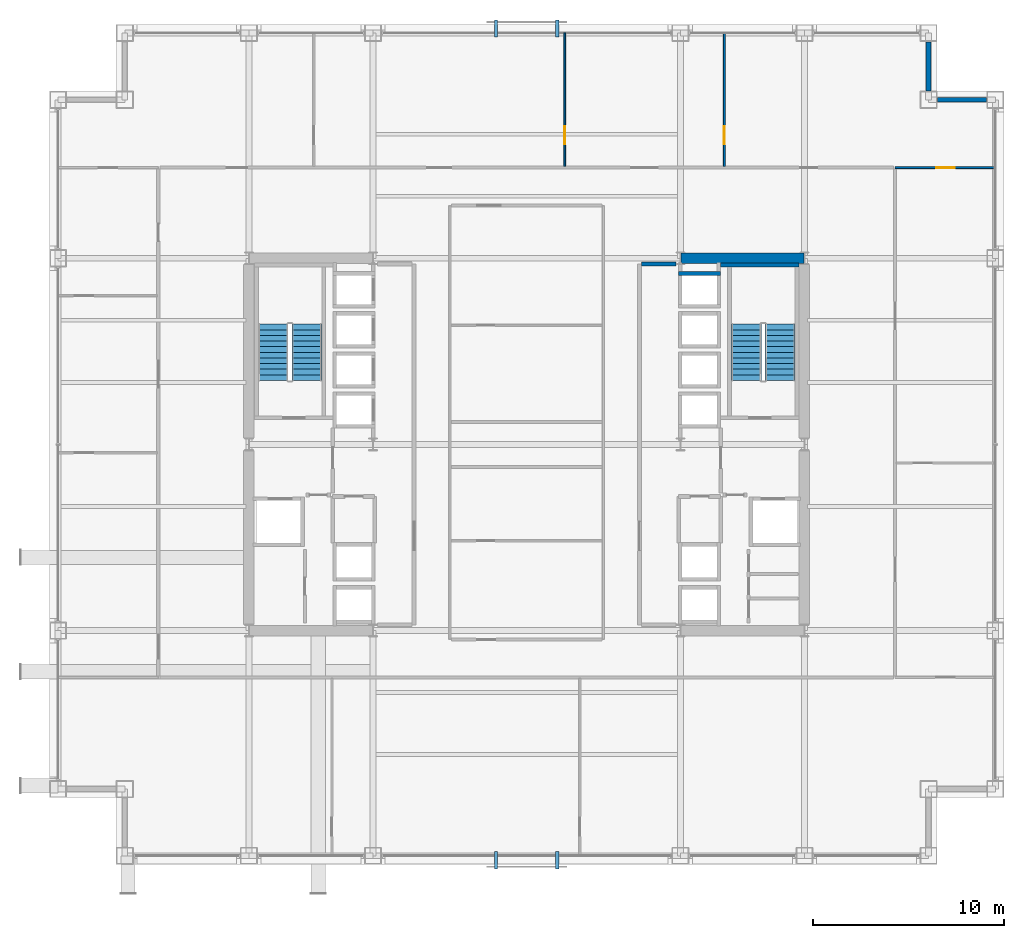
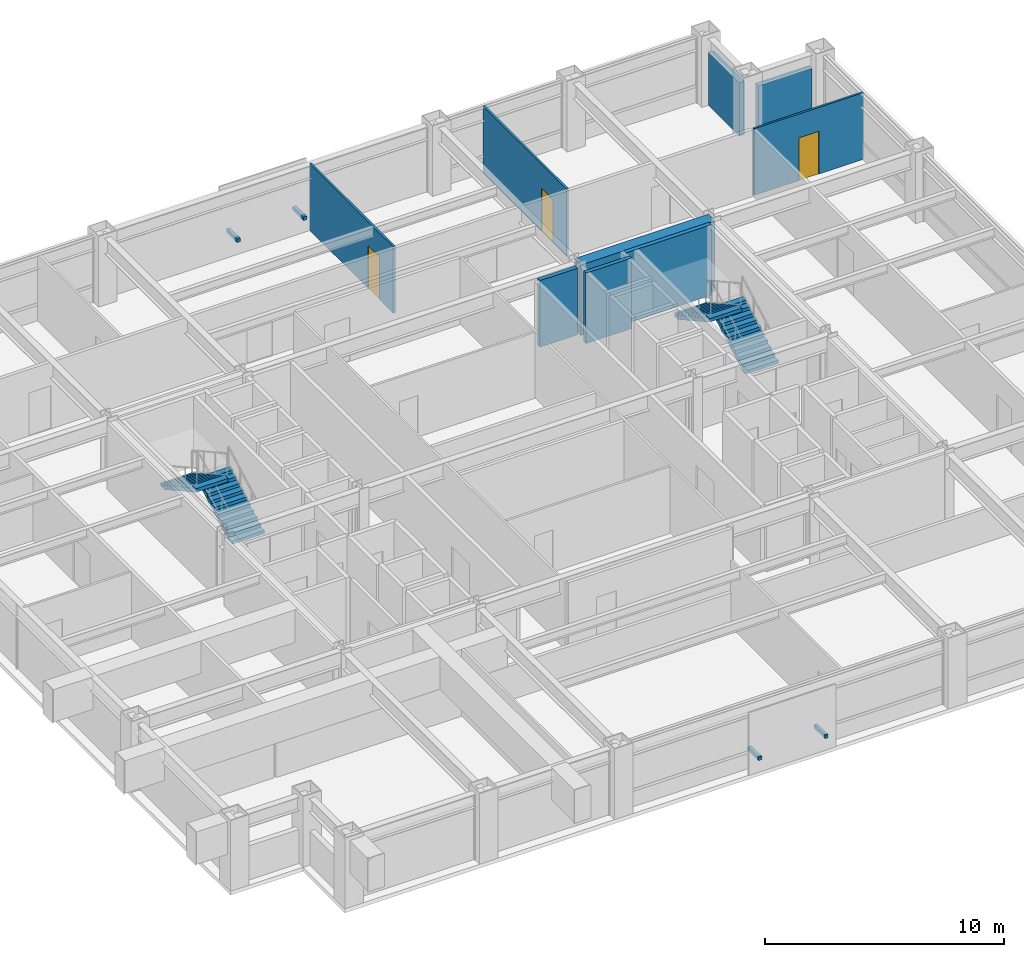
# One storey, part 28 of 29: 9 walls, 4 discrete accessories, 4 stair flights, 3 doors, 3 openings, 2 elements without a shape of their own.
"""IFC4 building model written with IfcOpenShell, lengths in metres."""

from ifc_helpers import new_model, si_unit, direction, frame, frame_2d, origin, origin_2d, place, context, subcontext, project, spatial, polyline, rectangle, outline, extrude, material, layer, layer_set, type_object, element, fill, aggregate, save


model = new_model("IFC4")

# Units and contexts
model_context = context("Model", 3, precision=1e-05, world=origin(), true_north=direction((0.0, 1.0)))
body_context = subcontext(model_context, "Body", "Model", "MODEL_VIEW")
ifc_project = project(units=[si_unit("LENGTHUNIT", "METRE"), si_unit("AREAUNIT", "SQUARE_METRE"), si_unit("VOLUMEUNIT", "CUBIC_METRE"), si_unit("PLANEANGLEUNIT", "RADIAN"), si_unit("MASSUNIT", "GRAM", prefix="KILO")], contexts=[model_context])

# Site, building, storey
site_placement = place(None, origin())
site = spatial("IfcSite", under=ifc_project, at=site_placement, CompositionType="ELEMENT")
building_placement = place(site_placement, origin())
building = spatial("IfcBuilding", under=site, at=building_placement, Name="Brelmoor Portico Tower", CompositionType="ELEMENT")
storey_placement = place(building_placement, frame((0.0, 0.0, 52.800048828125)))
storey = spatial("IfcBuildingStorey", under=building, at=storey_placement, Name="L13", CompositionType="ELEMENT", Elevation=52.800048828125)

# Walls
ifc_material_1 = material(Name="Concrete C60", Category="concrete")
ifc_layer_1 = layer(ifc_material_1, 0.550048828125)
ifc_layer_set_1 = layer_set([ifc_layer_1], Name="Concrete C60")
wall_type_1 = type_object("IfcWallType", Name="WL-CORE-550", PredefinedType="SHEAR", material=ifc_layer_set_1)
wall_1_placement = place(storey_placement, frame((8.070068359375, 9.75, -0.199951171875), z_axis=(0.0, 0.0, 1.0), x_axis=(1.0, 0.0, 0.0)))
element("IfcWall", 1, at=wall_1_placement, inside=storey, type_object=wall_type_1, Name="L13 EC North Shear Wall", PredefinedType="SHEAR", context=body_context, shape_type="SweptSolid", body=[
    extrude(rectangle(XDim=6.4599609375, YDim=0.550048828125, at=frame_2d((3.22998046875, 0.0))), origin(), (0.0, 0.0, 1.0), 3.599853515625),
])
ifc_material_2 = material(Name="Precast Concrete C40 Insulated Facade Wall", Category="concrete")
ifc_layer_2 = layer(ifc_material_2, 0.25)
ifc_layer_set_2 = layer_set([ifc_layer_2], Name="Precast Concrete C40 Insulated Facade Wall")
wall_type_2 = type_object("IfcWallType", Name="WL-EXT-250", PredefinedType="STANDARD", material=ifc_layer_set_2)
for number, where, z_axis, x_axis, name in (
    (2, (21.510009765625, 18.050048828125, 0.0), (0.0, 0.0, 1.0), (1.0, 0.0, 0.0), "L13 Corner Notch Facade Wall NNEH1"),
    (3, (21.050048828125, 18.510009765625, 0.0), (0.0, 0.0, 1.0), (0.0, 1.0, 0.0), "L13 Corner Notch Facade Wall NNEV1"),
):
    element("IfcWall", number, at=place(storey_placement, frame(where, z_axis=z_axis, x_axis=x_axis)), inside=storey, type_object=wall_type_2, Name=name, PredefinedType="STANDARD", context=body_context, shape_type="SweptSolid", body=[
        extrude(rectangle(XDim=2.580078125, YDim=0.25, at=frame_2d((1.2900390625, 0.0))), origin(), (0.0, 0.0, 1.0), 2.699951171875),
    ])

# Wall, opening, door
ifc_material_3 = material(Name="Demountable Glazed Office Partition", Category="aluminium")
ifc_layer_3 = layer(ifc_material_3, 0.10009765625)
ifc_layer_set_3 = layer_set([ifc_layer_3], Name="Demountable Glazed Office Partition")
wall_type_3 = type_object("IfcWallType", Name="WL-PART-100", PredefinedType="PARTITIONING", material=ifc_layer_set_3)
wall_2_placement = place(storey_placement, frame((1.990966796875, 14.56005859375, 0.0), z_axis=(0.0, 0.0, 1.0), x_axis=(0.0, 1.0, 0.0)))
wall_2 = element("IfcWall", 4, at=wall_2_placement, inside=storey, type_object=wall_type_3, Name="L13 North Suite Partition 2", PredefinedType="PARTITIONING", context=body_context, shape_type="SweptSolid", body=[
    extrude(rectangle(XDim=7.0, YDim=0.10009765625, at=frame_2d((3.5, 0.0))), origin(), (0.0, 0.0, 1.0), 3.39990234375),
])
opening_1_placement = place(wall_2_placement, frame((1.14990234375, 0.0, 0.0)))
opening_1 = element("IfcOpeningElement", 5, at=opening_1_placement, cuts=wall_2, Name="Opening D-IN2", PredefinedType="OPENING", context=body_context, shape_type="SweptSolid", body=[
    extrude(rectangle(XDim=0.9599609375, YDim=2.179931640625, at=frame_2d((0.47998046875, 1.08984375))), frame((0.0, 0.06005859375, 0.0), z_axis=(0.0, -1.0, 0.0), x_axis=(1.0, 0.0, 0.0)), (0.0, 0.0, 1.0), 0.1201171875),
])
ifc_material_4 = material(Name="Lacquered Timber Suite Door", Category="wood")
door_type = type_object("IfcDoorType", Name="DR-INT-950", OperationType="NOTDEFINED", PredefinedType="DOOR", material=ifc_material_4)
door_1_placement = place(opening_1_placement, origin())
door_1 = element("IfcDoor", 6, at=door_1_placement, inside=storey, type_object=door_type, Name="D-0596 L13 North Suite Connecting Door 2", OperationType="SINGLE_SWING_LEFT", OverallHeight=2.179931640625, OverallWidth=0.9599609375, PredefinedType="DOOR", context=body_context, shape_type="SweptSolid", body=[
    extrude(rectangle(XDim=0.9599609375, YDim=2.179931640625, at=frame_2d((0.47998046875, 1.08984375))), frame((0.0, 0.02490234375, 0.0), z_axis=(0.0, -1.0, 0.0), x_axis=(1.0, 0.0, 0.0)), (0.0, 0.0, 1.0), 0.050048828125),
])
fill(opening_1, door_1)

wall_3_placement = place(storey_placement, frame((10.353271484375, 14.56005859375, 0.0), z_axis=(0.0, 0.0, 1.0), x_axis=(0.0, 1.0, 0.0)))
wall_3 = element("IfcWall", 7, at=wall_3_placement, inside=storey, type_object=wall_type_3, Name="L13 North Suite Partition 3", PredefinedType="PARTITIONING", context=body_context, shape_type="SweptSolid", body=[
    extrude(rectangle(XDim=7.0, YDim=0.10009765625, at=frame_2d((3.5, 0.0))), origin(), (0.0, 0.0, 1.0), 3.39990234375),
])
opening_2_placement = place(wall_3_placement, frame((1.14990234375, 0.0, 0.0)))
opening_2 = element("IfcOpeningElement", 8, at=opening_2_placement, cuts=wall_3, Name="Opening D-IN2", PredefinedType="OPENING", context=body_context, shape_type="SweptSolid", body=[
    extrude(rectangle(XDim=0.9599609375, YDim=2.179931640625, at=frame_2d((0.47998046875, 1.08984375))), frame((0.0, 0.06005859375, 0.0), z_axis=(0.0, -1.0, 0.0), x_axis=(1.0, 0.0, 0.0)), (0.0, 0.0, 1.0), 0.1201171875),
])
door_2_placement = place(opening_2_placement, origin())
door_2 = element("IfcDoor", 9, at=door_2_placement, inside=storey, type_object=door_type, Name="D-0597 L13 North Suite Connecting Door 3", OperationType="SINGLE_SWING_RIGHT", OverallHeight=2.179931640625, OverallWidth=0.9599609375, PredefinedType="DOOR", context=body_context, shape_type="SweptSolid", body=[
    extrude(rectangle(XDim=0.9599609375, YDim=2.179931640625, at=frame_2d((0.47998046875, 1.08984375))), frame((0.0, 0.02490234375, 0.0), z_axis=(0.0, -1.0, 0.0), x_axis=(1.0, 0.0, 0.0)), (0.0, 0.0, 1.0), 0.050048828125),
])
fill(opening_2, door_2)

wall_4_placement = place(storey_placement, frame((19.300048828125, 14.5, 0.0), z_axis=(0.0, 0.0, 1.0), x_axis=(1.0, 0.0, 0.0)))
wall_4 = element("IfcWall", 10, at=wall_4_placement, inside=storey, type_object=wall_type_3, Name="L13 North Outer Closure ER", PredefinedType="PARTITIONING", context=body_context, shape_type="SweptSolid", body=[
    extrude(rectangle(XDim=5.260009765625, YDim=0.10009765625, at=frame_2d((2.6298828125, 0.0))), origin(), (0.0, 0.0, 1.0), 3.39990234375),
])
opening_3_placement = place(wall_4_placement, frame((2.14990234375, 0.0, 0.0)))
opening_3 = element("IfcOpeningElement", 11, at=opening_3_placement, cuts=wall_4, Name="Opening D-IN2", PredefinedType="OPENING", context=body_context, shape_type="SweptSolid", body=[
    extrude(rectangle(XDim=0.9599609375, YDim=2.179931640625, at=frame_2d((0.47998046875, 1.08984375))), frame((0.0, 0.06005859375, 0.0), z_axis=(0.0, -1.0, 0.0), x_axis=(1.0, 0.0, 0.0)), (0.0, 0.0, 1.0), 0.1201171875),
])
door_3_placement = place(opening_3_placement, origin())
door_3 = element("IfcDoor", 12, at=door_3_placement, inside=storey, type_object=door_type, Name="D-0598 L13 ER North Corner Suite Door", OperationType="SINGLE_SWING_LEFT", OverallHeight=2.179931640625, OverallWidth=0.9599609375, PredefinedType="DOOR", context=body_context, shape_type="SweptSolid", body=[
    extrude(rectangle(XDim=0.9599609375, YDim=2.179931640625, at=frame_2d((0.47998046875, 1.08984375))), frame((0.0, 0.02490234375, 0.0), z_axis=(0.0, -1.0, 0.0), x_axis=(1.0, 0.0, 0.0)), (0.0, 0.0, 1.0), 0.050048828125),
])
fill(opening_3, door_3)

# Walls
ifc_material_5 = material(Name="Double-Stud Gypsum Fire Partition", Category="gypsum")
ifc_layer_4 = layer(ifc_material_5, 0.199951171875)
ifc_layer_set_4 = layer_set([ifc_layer_4], Name="Double-Stud Gypsum Fire Partition")
wall_type_4 = type_object("IfcWallType", Name="WL-PART-200", PredefinedType="PARTITIONING", material=ifc_layer_set_4)
wall_5_placement = place(storey_placement, frame((6.02001953125, 9.449951171875, 0.0), z_axis=(0.0, 0.0, 1.0), x_axis=(1.0, 0.0, 0.0)))
element("IfcWall", 13, at=wall_5_placement, inside=storey, type_object=wall_type_4, Name="L13 E Lift Lobby North End Wall", PredefinedType="PARTITIONING", context=body_context, shape_type="SweptSolid", body=[
    extrude(rectangle(XDim=1.800048828125, YDim=0.199951171875, at=frame_2d((0.89990234375, 0.0))), origin(), (0.0, 0.0, 1.0), 3.39990234375),
])
ifc_material_6 = material(Name="Precast Concrete C40", Category="concrete")
ifc_layer_5 = layer(ifc_material_6, 0.18994140625)
ifc_layer_set_5 = layer_set([ifc_layer_5], Name="Precast Concrete C40")
wall_type_5 = type_object("IfcWallType", Name="WL-SHAFT-180", PredefinedType="SOLIDWALL", material=ifc_layer_set_5)
wall_6_placement = place(storey_placement, frame((7.949951171875, 8.955078125, -0.199951171875), z_axis=(0.0, 0.0, 1.0), x_axis=(1.0, 0.0, 0.0)))
element("IfcWall", 14, at=wall_6_placement, inside=storey, type_object=wall_type_5, Name="L13 Lift PM4 Hoistway North Wall", PredefinedType="SOLIDWALL", context=body_context, shape_type="SweptSolid", body=[
    extrude(rectangle(XDim=2.199951171875, YDim=0.18994140625, at=frame_2d((1.10009765625, 0.0))), origin(), (0.0, 0.0, 1.0), 3.599853515625),
])
ifc_material_7 = material(Name="Concrete C40", Category="concrete")
ifc_layer_6 = layer(ifc_material_7, 0.199951171875)
ifc_layer_set_6 = layer_set([ifc_layer_6], Name="Concrete C40")
wall_type_6 = type_object("IfcWallType", Name="WL-SHAFT-RC200", PredefinedType="SOLIDWALL", material=ifc_layer_set_6)
wall_7_placement = place(storey_placement, frame((10.14990234375, 9.39990234375, -0.199951171875), z_axis=(0.0, 0.0, 1.0), x_axis=(1.0, 0.0, 0.0)))
element("IfcWall", 15, at=wall_7_placement, inside=storey, type_object=wall_type_6, Name="L13 ST-E Structural Stair Wall N", PredefinedType="SOLIDWALL", context=body_context, shape_type="SweptSolid", body=[
    extrude(rectangle(XDim=4.10009765625, YDim=0.199951171875, at=frame_2d((2.050048828125, 0.0))), origin(), (0.0, 0.0, 1.0), 3.599853515625),
])

# Stair, stair flights
stair_type_1 = type_object("IfcStairType", Name="ST-CORE-W", PredefinedType="HALF_TURN_STAIR", material=ifc_material_7)
stair_1_placement = place(storey_placement, origin())
stair_1 = element("IfcStair", 16, at=stair_1_placement, inside=storey, type_object=stair_type_1, Name="L13 Protected Core Exit Stair ST-W", PredefinedType="HALF_TURN_STAIR")
stair_flight_type = type_object("IfcStairFlightType", Name="SF-CORE-1850", PredefinedType="STRAIGHT", material=ifc_material_7)
stair_flight_1_placement = place(storey_placement, frame((-11.510009765625, 3.35009765625, 0.0), z_axis=(0.0, 0.0, 1.0), x_axis=(0.0, 1.0, 0.0)))
stair_flight_1 = element("IfcStairFlight", 17, at=stair_flight_1_placement, type_object=stair_flight_type, Name="ST-W flight 1", NumberOfRisers=11, NumberOfTreads=10, PredefinedType="STRAIGHT", RiserHeight=0.163636364, TreadLength=0.295, context=body_context, shape_type="SweptSolid", body=[
    extrude(outline(polyline([(0.0, 0.0), (0.0, 0.16357421875), (0.294921875, 0.16357421875), (0.294921875, 0.327392578125), (0.590087890625, 0.327392578125), (0.590087890625, 0.490966796875), (0.885009765625, 0.490966796875), (0.885009765625, 0.654541015625), (1.179931640625, 0.654541015625), (1.179931640625, 0.818115234375), (1.47509765625, 0.818115234375), (1.47509765625, 0.98193359375), (1.77001953125, 0.98193359375), (1.77001953125, 1.1455078125), (2.06494140625, 1.1455078125), (2.06494140625, 1.30908203125), (2.360107421875, 1.30908203125), (2.360107421875, 1.47265625), (2.655029296875, 1.47265625), (2.655029296875, 1.636474609375), (2.949951171875, 1.636474609375), (2.949951171875, 1.800048828125), (2.949951171875, 1.46484375), (0.30908203125, 0.0), (0.0, 0.0)])), frame((0.0, 0.780029296875, 0.0), z_axis=(0.0, -1.0, 0.0), x_axis=(1.0, 0.0, 0.0)), (0.0, 0.0, 1.0), 1.56005859375),
])
stair_flight_2_placement = place(storey_placement, frame((-13.27001953125, 6.300048828125, 1.800048828125), z_axis=(0.0, 0.0, 1.0), x_axis=(0.0, -1.0, 0.0)))
stair_flight_2 = element("IfcStairFlight", 18, at=stair_flight_2_placement, type_object=stair_flight_type, Name="ST-W flight 2", NumberOfRisers=11, NumberOfTreads=10, PredefinedType="STRAIGHT", RiserHeight=0.163636364, TreadLength=0.295, context=body_context, shape_type="SweptSolid", body=[
    extrude(outline(polyline([(0.0, 0.0), (0.0, 0.16357421875), (0.294921875, 0.16357421875), (0.294921875, 0.327392578125), (0.590087890625, 0.327392578125), (0.590087890625, 0.490966796875), (0.885009765625, 0.490966796875), (0.885009765625, 0.654541015625), (1.179931640625, 0.654541015625), (1.179931640625, 0.818115234375), (1.47509765625, 0.818115234375), (1.47509765625, 0.98193359375), (1.77001953125, 0.98193359375), (1.77001953125, 1.1455078125), (2.06494140625, 1.1455078125), (2.06494140625, 1.30908203125), (2.360107421875, 1.30908203125), (2.360107421875, 1.47265625), (2.655029296875, 1.47265625), (2.655029296875, 1.636474609375), (2.949951171875, 1.636474609375), (2.949951171875, 1.800048828125), (2.949951171875, 1.46484375), (0.30908203125, 0.0), (0.0, 0.0)])), frame((0.0, 0.780029296875, 0.0), z_axis=(0.0, -1.0, 0.0), x_axis=(1.0, 0.0, 0.0)), (0.0, 0.0, 1.0), 1.56005859375),
])
aggregate(stair_1, [stair_flight_1, stair_flight_2])

stair_type_2 = type_object("IfcStairType", Name="ST-CORE-E", PredefinedType="HALF_TURN_STAIR", material=ifc_material_7)
stair_2_placement = place(storey_placement, origin())
stair_2 = element("IfcStair", 19, at=stair_2_placement, inside=storey, type_object=stair_type_2, Name="L13 Protected Core Exit Stair ST-E", PredefinedType="HALF_TURN_STAIR")
stair_flight_3_placement = place(storey_placement, frame((13.27001953125, 3.35009765625, 0.0), z_axis=(0.0, 0.0, 1.0), x_axis=(0.0, 1.0, 0.0)))
stair_flight_3 = element("IfcStairFlight", 20, at=stair_flight_3_placement, type_object=stair_flight_type, Name="ST-E flight 1", NumberOfRisers=11, NumberOfTreads=10, PredefinedType="STRAIGHT", RiserHeight=0.163636364, TreadLength=0.295, context=body_context, shape_type="SweptSolid", body=[
    extrude(outline(polyline([(0.0, 0.0), (0.0, 0.16357421875), (0.294921875, 0.16357421875), (0.294921875, 0.327392578125), (0.590087890625, 0.327392578125), (0.590087890625, 0.490966796875), (0.885009765625, 0.490966796875), (0.885009765625, 0.654541015625), (1.179931640625, 0.654541015625), (1.179931640625, 0.818115234375), (1.47509765625, 0.818115234375), (1.47509765625, 0.98193359375), (1.77001953125, 0.98193359375), (1.77001953125, 1.1455078125), (2.06494140625, 1.1455078125), (2.06494140625, 1.30908203125), (2.360107421875, 1.30908203125), (2.360107421875, 1.47265625), (2.655029296875, 1.47265625), (2.655029296875, 1.636474609375), (2.949951171875, 1.636474609375), (2.949951171875, 1.800048828125), (2.949951171875, 1.46484375), (0.30908203125, 0.0), (0.0, 0.0)])), frame((0.0, 0.780029296875, 0.0), z_axis=(0.0, -1.0, 0.0), x_axis=(1.0, 0.0, 0.0)), (0.0, 0.0, 1.0), 1.56005859375),
])
stair_flight_4_placement = place(storey_placement, frame((11.510009765625, 6.300048828125, 1.800048828125), z_axis=(0.0, 0.0, 1.0), x_axis=(0.0, -1.0, 0.0)))
stair_flight_4 = element("IfcStairFlight", 21, at=stair_flight_4_placement, type_object=stair_flight_type, Name="ST-E flight 2", NumberOfRisers=11, NumberOfTreads=10, PredefinedType="STRAIGHT", RiserHeight=0.163636364, TreadLength=0.295, context=body_context, shape_type="SweptSolid", body=[
    extrude(outline(polyline([(0.0, 0.0), (0.0, 0.16357421875), (0.294921875, 0.16357421875), (0.294921875, 0.327392578125), (0.590087890625, 0.327392578125), (0.590087890625, 0.490966796875), (0.885009765625, 0.490966796875), (0.885009765625, 0.654541015625), (1.179931640625, 0.654541015625), (1.179931640625, 0.818115234375), (1.47509765625, 0.818115234375), (1.47509765625, 0.98193359375), (1.77001953125, 0.98193359375), (1.77001953125, 1.1455078125), (2.06494140625, 1.1455078125), (2.06494140625, 1.30908203125), (2.360107421875, 1.30908203125), (2.360107421875, 1.47265625), (2.655029296875, 1.47265625), (2.655029296875, 1.636474609375), (2.949951171875, 1.636474609375), (2.949951171875, 1.800048828125), (2.949951171875, 1.46484375), (0.30908203125, 0.0), (0.0, 0.0)])), frame((0.0, 0.780029296875, 0.0), z_axis=(0.0, -1.0, 0.0), x_axis=(1.0, 0.0, 0.0)), (0.0, 0.0, 1.0), 1.56005859375),
])
aggregate(stair_2, [stair_flight_3, stair_flight_4])

# Discrete accessories
ifc_material_8 = material(Name="Galvanised Steel Q355B", Category="steel")
discrete_accessory_type = type_object("IfcDiscreteAccessoryType", Name="DA-SCREEN-BRACKET", PredefinedType="BRACKET", material=ifc_material_8)
for number, where, z_axis, x_axis, name in (
    (22, (-1.60009765625, -21.780029296875, 0.759765625), (0.0, 0.0, 1.0), (1.0, 0.0, 0.0), "L13 Solar Screen Bracket S1A"),
    (23, (1.60009765625, -21.780029296875, 0.759765625), (0.0, 0.0, 1.0), (1.0, 0.0, 0.0), "L13 Solar Screen Bracket S1B"),
    (24, (-1.60009765625, 21.780029296875, 0.759765625), (0.0, 0.0, 1.0), (1.0, 0.0, 0.0), "L13 Solar Screen Bracket N1A"),
    (25, (1.60009765625, 21.780029296875, 0.759765625), (0.0, 0.0, 1.0), (1.0, 0.0, 0.0), "L13 Solar Screen Bracket N1B"),
):
    element("IfcDiscreteAccessory", number, at=place(storey_placement, frame(where, z_axis=z_axis, x_axis=x_axis)), inside=storey, type_object=discrete_accessory_type, Name=name, PredefinedType="BRACKET", context=body_context, shape_type="SweptSolid", body=[
        extrude(rectangle(XDim=0.159912109375, YDim=0.89990234375, at=origin_2d()), origin(), (0.0, 0.0, 1.0), 0.179931640625),
    ])

save(model, "model.ifc")
